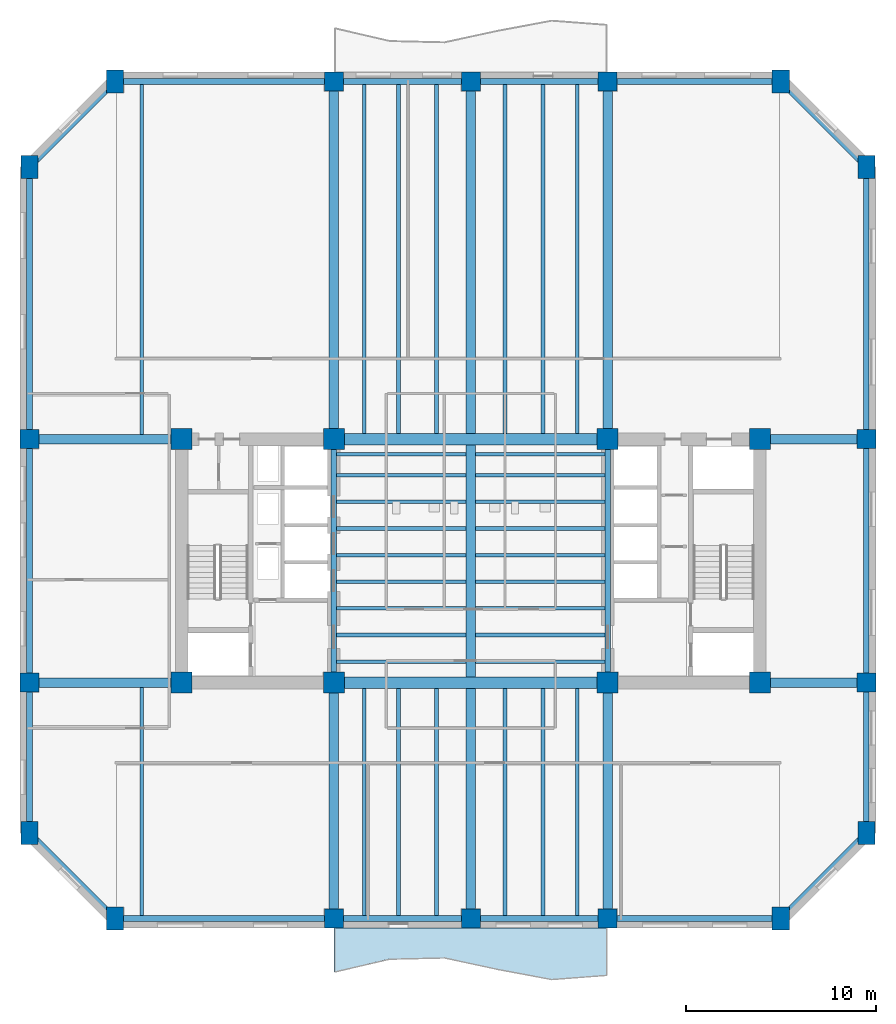
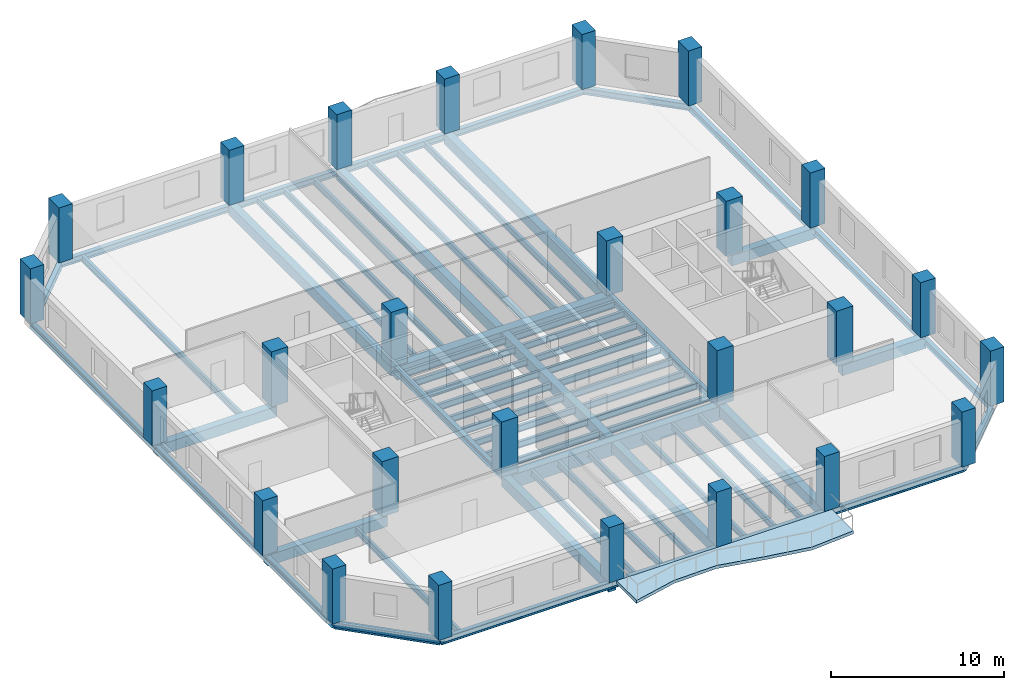
# One storey, part 1 of 10: 65 beams, 26 columns, 1 slab.
"""IFC4 building model written with IfcOpenShell, lengths in metres."""

from ifc_helpers import new_model, si_unit, direction, frame, origin, origin_2d, place, context, subcontext, project, spatial, polyline, rectangle, i_section, outline, extrude, material, layer, layer_set, material_profile, profile_set, type_object, element, save


model = new_model("IFC4")

# Units and contexts
model_context = context("Model", 3, precision=1e-05, world=origin(), true_north=direction((0.0, 1.0)))
body_context = subcontext(model_context, "Body", "Model", "MODEL_VIEW")
ifc_project = project(units=[si_unit("LENGTHUNIT", "METRE"), si_unit("AREAUNIT", "SQUARE_METRE"), si_unit("VOLUMEUNIT", "CUBIC_METRE"), si_unit("PLANEANGLEUNIT", "RADIAN"), si_unit("MASSUNIT", "GRAM", prefix="KILO")], contexts=[model_context])

# Site, building, storey
site_placement = place(None, origin())
site = spatial("IfcSite", under=ifc_project, at=site_placement, CompositionType="ELEMENT")
building_placement = place(site_placement, origin())
building = spatial("IfcBuilding", under=site, at=building_placement, Name="Kranthara Brick Stack", CompositionType="ELEMENT")
storey_placement = place(building_placement, frame((0.0, 0.0, 98.39990234375)))
storey = spatial("IfcBuildingStorey", under=building, at=storey_placement, Name="L24", CompositionType="ELEMENT", Elevation=98.39990234375)

# Columns
ifc_material_1 = material(Name="Concrete C70/85", Category="concrete")
ifc_material_profile_1 = material_profile(ifc_material_1, rectangle(XDim=0.89990234375, YDim=1.199951171875, at=origin_2d()), Name="RC 900x1200")
ifc_profile_set_1 = profile_set([ifc_material_profile_1], Name="Concrete C70/85")
column_type_1 = type_object("IfcColumnType", Name="COL-CHAM-900x1200", PredefinedType="COLUMN", material=ifc_profile_set_1)
for number, where, z_axis, x_axis, name in (
    (1, (9.300048828125, 8.39990234375, 0.0), (0.0, 0.0, 1.0), (1.0, 0.0, 0.0), "L24 Column 09"),
    (2, (9.300048828125, 52.39990234375, 0.0), (0.0, 0.0, 1.0), (1.0, 0.0, 0.0), "L24 Column 10"),
    (3, (44.300048828125, 8.39990234375, 0.0), (0.0, 0.0, 1.0), (1.0, 0.0, 0.0), "L24 Column 17"),
    (4, (44.300048828125, 52.39990234375, 0.0), (0.0, 0.0, 1.0), (1.0, 0.0, 0.0), "L24 Column 18"),
    (5, (4.800048828125, 12.89990234375, 0.0), (0.0, 0.0, 1.0), (1.0, 0.0, 0.0), "L24 Column 19"),
    (6, (48.800048828125, 12.89990234375, 0.0), (0.0, 0.0, 1.0), (1.0, 0.0, 0.0), "L24 Column 20"),
    (7, (4.800048828125, 47.89990234375, 0.0), (0.0, 0.0, 1.0), (1.0, 0.0, 0.0), "L24 Column 25"),
    (8, (48.800048828125, 47.89990234375, 0.0), (0.0, 0.0, 1.0), (1.0, 0.0, 0.0), "L24 Column 26"),
):
    element("IfcColumn", number, at=place(storey_placement, frame(where, z_axis=z_axis, x_axis=x_axis)), inside=storey, type_object=column_type_1, Name=name, PredefinedType="COLUMN", context=body_context, shape_type="SweptSolid", body=[
        extrude(rectangle(XDim=0.89990234375, YDim=1.199951171875, at=origin_2d()), origin(), (0.0, 0.0, 1.0), 3.900146484375),
    ])
ifc_material_2 = material(Name="Concrete C70/85", Category="concrete")
ifc_material_profile_2 = material_profile(ifc_material_2, rectangle(XDim=1.10009765625, YDim=1.10009765625, at=origin_2d()), Name="RC 1100x1100")
ifc_profile_set_2 = profile_set([ifc_material_profile_2], Name="Concrete C70/85")
column_type_2 = type_object("IfcColumnType", Name="COL-CORE-1100", PredefinedType="COLUMN", material=ifc_profile_set_2)
for number, where, z_axis, x_axis, name in (
    (9, (12.800048828125, 20.800048828125, 0.0), (0.0, 0.0, 1.0), (1.0, 0.0, 0.0), "L24 Column 01"),
    (10, (20.800048828125, 20.800048828125, 0.0), (0.0, 0.0, 1.0), (1.0, 0.0, 0.0), "L24 Column 02"),
    (11, (12.800048828125, 33.60009765625, 0.0), (0.0, 0.0, 1.0), (1.0, 0.0, 0.0), "L24 Column 03"),
    (12, (20.800048828125, 33.60009765625, 0.0), (0.0, 0.0, 1.0), (1.0, 0.0, 0.0), "L24 Column 04"),
    (13, (35.199951171875, 20.800048828125, 0.0), (0.0, 0.0, 1.0), (1.0, 0.0, 0.0), "L24 Column 05"),
    (14, (43.199951171875, 20.800048828125, 0.0), (0.0, 0.0, 1.0), (1.0, 0.0, 0.0), "L24 Column 06"),
    (15, (35.199951171875, 33.60009765625, 0.0), (0.0, 0.0, 1.0), (1.0, 0.0, 0.0), "L24 Column 07"),
    (16, (43.199951171875, 33.60009765625, 0.0), (0.0, 0.0, 1.0), (1.0, 0.0, 0.0), "L24 Column 08"),
):
    element("IfcColumn", number, at=place(storey_placement, frame(where, z_axis=z_axis, x_axis=x_axis)), inside=storey, type_object=column_type_2, Name=name, PredefinedType="COLUMN", context=body_context, shape_type="SweptSolid", body=[
        extrude(rectangle(XDim=1.10009765625, YDim=1.10009765625, at=origin_2d()), origin(), (0.0, 0.0, 1.0), 3.900146484375),
    ])
ifc_material_3 = material(Name="Concrete C60/75", Category="concrete")
ifc_material_profile_3 = material_profile(ifc_material_3, rectangle(XDim=1.0, YDim=1.0, at=origin_2d()), Name="RC 1000x1000")
ifc_profile_set_3 = profile_set([ifc_material_profile_3], Name="Concrete C60/75")
column_type_3 = type_object("IfcColumnType", Name="COL-PER-1000", PredefinedType="COLUMN", material=ifc_profile_set_3)
for number, where, z_axis, x_axis, name in (
    (17, (20.800048828125, 8.39990234375, 0.0), (0.0, 0.0, 1.0), (1.0, 0.0, 0.0), "L24 Column 11"),
    (18, (20.800048828125, 52.39990234375, 0.0), (0.0, 0.0, 1.0), (1.0, 0.0, 0.0), "L24 Column 12"),
    (19, (28.0, 8.39990234375, 0.0), (0.0, 0.0, 1.0), (1.0, 0.0, 0.0), "L24 Column 13"),
    (20, (28.0, 52.39990234375, 0.0), (0.0, 0.0, 1.0), (1.0, 0.0, 0.0), "L24 Column 14"),
    (21, (35.199951171875, 8.39990234375, 0.0), (0.0, 0.0, 1.0), (1.0, 0.0, 0.0), "L24 Column 15"),
    (22, (35.199951171875, 52.39990234375, 0.0), (0.0, 0.0, 1.0), (1.0, 0.0, 0.0), "L24 Column 16"),
    (23, (4.800048828125, 20.800048828125, 0.0), (0.0, 0.0, 1.0), (1.0, 0.0, 0.0), "L24 Column 21"),
    (24, (48.800048828125, 20.800048828125, 0.0), (0.0, 0.0, 1.0), (1.0, 0.0, 0.0), "L24 Column 22"),
    (25, (4.800048828125, 33.60009765625, 0.0), (0.0, 0.0, 1.0), (1.0, 0.0, 0.0), "L24 Column 23"),
    (26, (48.800048828125, 33.60009765625, 0.0), (0.0, 0.0, 1.0), (1.0, 0.0, 0.0), "L24 Column 24"),
):
    element("IfcColumn", number, at=place(storey_placement, frame(where, z_axis=z_axis, x_axis=x_axis)), inside=storey, type_object=column_type_3, Name=name, PredefinedType="COLUMN", context=body_context, shape_type="SweptSolid", body=[
        extrude(rectangle(XDim=1.0, YDim=1.0, at=origin_2d()), origin(), (0.0, 0.0, 1.0), 3.900146484375),
    ])

# Beams
ifc_material_4 = material(Name="Concrete C60/75", Category="concrete")
ifc_material_profile_4 = material_profile(ifc_material_4, rectangle(XDim=0.60009765625, YDim=0.949951171875, at=origin_2d()), Name="RC 600x950")
ifc_profile_set_4 = profile_set([ifc_material_profile_4], Name="Concrete C60/75")
beam_type_1 = type_object("IfcBeamType", Name="BM-CPL-RC950", PredefinedType="LINTEL", material=ifc_profile_set_4)
for number, where, z_axis, x_axis, name in (
    (27, (20.800048828125, 20.800048828125, -0.77490234375), (1.0, 0.0, 0.0), (0.0, 1.0, 0.0), "L24 Core Coupling Beam 001"),
    (28, (20.800048828125, 33.60009765625, -0.77490234375), (1.0, 0.0, 0.0), (0.0, 1.0, 0.0), "L24 Core Coupling Beam 002"),
):
    element("IfcBeam", number, at=place(storey_placement, frame(where, z_axis=z_axis, x_axis=x_axis)), inside=storey, type_object=beam_type_1, Name=name, PredefinedType="LINTEL", context=body_context, shape_type="SweptSolid", body=[
        extrude(rectangle(XDim=0.60009765625, YDim=0.949951171875, at=origin_2d()), origin(), (0.0, 0.0, 1.0), 14.39990234375),
    ])
ifc_material_5 = material(Name="Post-tensioned concrete C45/55", Category="concrete")
ifc_material_profile_5 = material_profile(ifc_material_5, rectangle(XDim=0.5, YDim=0.75, at=origin_2d()), Name="PT 500x750")
ifc_profile_set_5 = profile_set([ifc_material_profile_5], Name="Post-tensioned concrete C45/55")
beam_type_2 = type_object("IfcBeamType", Name="BM-FLR-PT750", PredefinedType="BEAM", material=ifc_profile_set_5)
beam_1_placement = place(storey_placement, frame((20.800048828125, 8.39990234375, -0.6748046875), z_axis=(0.0, 1.0, 0.0), x_axis=(-1.0, 0.0, 0.0)))
element("IfcBeam", 29, at=beam_1_placement, inside=storey, type_object=beam_type_2, Name="L24 Primary Grid Girder 023", PredefinedType="BEAM", context=body_context, shape_type="SweptSolid", body=[
    extrude(rectangle(XDim=0.5, YDim=0.75, at=origin_2d()), origin(), (0.0, 0.0, 1.0), 12.400146484375),
])
beam_2_placement = place(storey_placement, frame((20.800048828125, 33.60009765625, -0.6748046875), z_axis=(0.0, 1.0, 0.0), x_axis=(-1.0, 0.0, 0.0)))
element("IfcBeam", 30, at=beam_2_placement, inside=storey, type_object=beam_type_2, Name="L24 Primary Grid Girder 024", PredefinedType="BEAM", context=body_context, shape_type="SweptSolid", body=[
    extrude(rectangle(XDim=0.5, YDim=0.75, at=origin_2d()), origin(), (0.0, 0.0, 1.0), 18.7998046875),
])
beam_3_placement = place(storey_placement, frame((28.0, 8.39990234375, -0.6748046875), z_axis=(0.0, 1.0, 0.0), x_axis=(-1.0, 0.0, 0.0)))
element("IfcBeam", 31, at=beam_3_placement, inside=storey, type_object=beam_type_2, Name="L24 Primary Grid Girder 025", PredefinedType="BEAM", context=body_context, shape_type="SweptSolid", body=[
    extrude(rectangle(XDim=0.5, YDim=0.75, at=origin_2d()), origin(), (0.0, 0.0, 1.0), 12.10009765625),
])
beam_4_placement = place(storey_placement, frame((28.0, 21.10009765625, -0.6748046875), z_axis=(0.0, 1.0, 0.0), x_axis=(-1.0, 0.0, 0.0)))
element("IfcBeam", 32, at=beam_4_placement, inside=storey, type_object=beam_type_2, Name="L24 Central Spine Girder 026", PredefinedType="BEAM", context=body_context, shape_type="SweptSolid", body=[
    extrude(rectangle(XDim=0.5, YDim=0.75, at=origin_2d()), origin(), (0.0, 0.0, 1.0), 12.199951171875),
])
beam_5_placement = place(storey_placement, frame((28.0, 33.89990234375, -0.6748046875), z_axis=(0.0, 1.0, 0.0), x_axis=(-1.0, 0.0, 0.0)))
element("IfcBeam", 33, at=beam_5_placement, inside=storey, type_object=beam_type_2, Name="L24 Primary Grid Girder 027", PredefinedType="BEAM", context=body_context, shape_type="SweptSolid", body=[
    extrude(rectangle(XDim=0.5, YDim=0.75, at=origin_2d()), origin(), (0.0, 0.0, 1.0), 18.5),
])
beam_6_placement = place(storey_placement, frame((35.199951171875, 8.39990234375, -0.6748046875), z_axis=(0.0, 1.0, 0.0), x_axis=(-1.0, 0.0, 0.0)))
element("IfcBeam", 34, at=beam_6_placement, inside=storey, type_object=beam_type_2, Name="L24 Primary Grid Girder 028", PredefinedType="BEAM", context=body_context, shape_type="SweptSolid", body=[
    extrude(rectangle(XDim=0.5, YDim=0.75, at=origin_2d()), origin(), (0.0, 0.0, 1.0), 12.400146484375),
])
beam_7_placement = place(storey_placement, frame((35.199951171875, 33.60009765625, -0.6748046875), z_axis=(0.0, 1.0, 0.0), x_axis=(-1.0, 0.0, 0.0)))
element("IfcBeam", 35, at=beam_7_placement, inside=storey, type_object=beam_type_2, Name="L24 Primary Grid Girder 029", PredefinedType="BEAM", context=body_context, shape_type="SweptSolid", body=[
    extrude(rectangle(XDim=0.5, YDim=0.75, at=origin_2d()), origin(), (0.0, 0.0, 1.0), 18.7998046875),
])
beam_8_placement = place(storey_placement, frame((4.800048828125, 20.800048828125, -0.6748046875), z_axis=(1.0, 0.0, 0.0), x_axis=(0.0, 1.0, 0.0)))
element("IfcBeam", 36, at=beam_8_placement, inside=storey, type_object=beam_type_2, Name="L24 Primary Grid Girder 030", PredefinedType="BEAM", context=body_context, shape_type="SweptSolid", body=[
    extrude(rectangle(XDim=0.5, YDim=0.75, at=origin_2d()), origin(), (0.0, 0.0, 1.0), 8.0),
])
beam_9_placement = place(storey_placement, frame((43.199951171875, 20.800048828125, -0.6748046875), z_axis=(1.0, 0.0, 0.0), x_axis=(0.0, 1.0, 0.0)))
element("IfcBeam", 37, at=beam_9_placement, inside=storey, type_object=beam_type_2, Name="L24 Primary Grid Girder 031", PredefinedType="BEAM", context=body_context, shape_type="SweptSolid", body=[
    extrude(rectangle(XDim=0.5, YDim=0.75, at=origin_2d()), origin(), (0.0, 0.0, 1.0), 5.60009765625),
])
beam_10_placement = place(storey_placement, frame((4.800048828125, 33.60009765625, -0.6748046875), z_axis=(1.0, 0.0, 0.0), x_axis=(0.0, 1.0, 0.0)))
element("IfcBeam", 38, at=beam_10_placement, inside=storey, type_object=beam_type_2, Name="L24 Primary Grid Girder 032", PredefinedType="BEAM", context=body_context, shape_type="SweptSolid", body=[
    extrude(rectangle(XDim=0.5, YDim=0.75, at=origin_2d()), origin(), (0.0, 0.0, 1.0), 8.0),
])
beam_11_placement = place(storey_placement, frame((43.199951171875, 33.60009765625, -0.6748046875), z_axis=(1.0, 0.0, 0.0), x_axis=(0.0, 1.0, 0.0)))
element("IfcBeam", 39, at=beam_11_placement, inside=storey, type_object=beam_type_2, Name="L24 Primary Grid Girder 033", PredefinedType="BEAM", context=body_context, shape_type="SweptSolid", body=[
    extrude(rectangle(XDim=0.5, YDim=0.75, at=origin_2d()), origin(), (0.0, 0.0, 1.0), 5.60009765625),
])
ifc_material_6 = material(Name="Steel S355", Category="steel")
ifc_material_profile_6 = material_profile(ifc_material_6, i_section(OverallWidth=0.18994140625, OverallDepth=0.449951171875, WebThickness=0.009521484375, FlangeThickness=0.0146484375, at=origin_2d()), Name="IPE 450")
ifc_profile_set_6 = profile_set([ifc_material_profile_6], Name="Steel S355")
beam_type_3 = type_object("IfcBeamType", Name="BM-JST-IPE450", PredefinedType="JOIST", material=ifc_profile_set_6)
for number, where, z_axis, x_axis, name in (
    (40, (20.949951171875, 21.89990234375, -0.52490234375), (1.0, 0.0, 0.0), (0.0, 1.0, 0.0), "L24 Central Floor Joist 034"),
    (41, (28.25, 21.89990234375, -0.52490234375), (1.0, 0.0, 0.0), (0.0, 1.0, 0.0), "L24 Central Floor Joist 035"),
    (42, (20.949951171875, 23.300048828125, -0.52490234375), (1.0, 0.0, 0.0), (0.0, 1.0, 0.0), "L24 Central Floor Joist 036"),
    (43, (28.25, 23.300048828125, -0.52490234375), (1.0, 0.0, 0.0), (0.0, 1.0, 0.0), "L24 Central Floor Joist 037"),
    (44, (20.949951171875, 24.699951171875, -0.52490234375), (1.0, 0.0, 0.0), (0.0, 1.0, 0.0), "L24 Central Floor Joist 038"),
    (45, (28.25, 24.699951171875, -0.52490234375), (1.0, 0.0, 0.0), (0.0, 1.0, 0.0), "L24 Central Floor Joist 039"),
    (46, (20.949951171875, 26.10009765625, -0.52490234375), (1.0, 0.0, 0.0), (0.0, 1.0, 0.0), "L24 Central Floor Joist 040"),
    (47, (28.25, 26.10009765625, -0.52490234375), (1.0, 0.0, 0.0), (0.0, 1.0, 0.0), "L24 Central Floor Joist 041"),
    (48, (20.949951171875, 27.5, -0.52490234375), (1.0, 0.0, 0.0), (0.0, 1.0, 0.0), "L24 Central Floor Joist 042"),
    (49, (28.25, 27.5, -0.52490234375), (1.0, 0.0, 0.0), (0.0, 1.0, 0.0), "L24 Central Floor Joist 043"),
    (50, (20.949951171875, 28.89990234375, -0.52490234375), (1.0, 0.0, 0.0), (0.0, 1.0, 0.0), "L24 Central Floor Joist 044"),
    (51, (28.25, 28.89990234375, -0.52490234375), (1.0, 0.0, 0.0), (0.0, 1.0, 0.0), "L24 Central Floor Joist 045"),
    (52, (20.949951171875, 30.300048828125, -0.52490234375), (1.0, 0.0, 0.0), (0.0, 1.0, 0.0), "L24 Central Floor Joist 046"),
    (53, (28.25, 30.300048828125, -0.52490234375), (1.0, 0.0, 0.0), (0.0, 1.0, 0.0), "L24 Central Floor Joist 047"),
    (54, (20.949951171875, 31.699951171875, -0.52490234375), (1.0, 0.0, 0.0), (0.0, 1.0, 0.0), "L24 Central Floor Joist 048"),
    (55, (28.25, 31.699951171875, -0.52490234375), (1.0, 0.0, 0.0), (0.0, 1.0, 0.0), "L24 Central Floor Joist 049"),
    (56, (20.949951171875, 32.800048828125, -0.52490234375), (1.0, 0.0, 0.0), (0.0, 1.0, 0.0), "L24 Central Floor Joist 050"),
    (57, (28.25, 32.800048828125, -0.52490234375), (1.0, 0.0, 0.0), (0.0, 1.0, 0.0), "L24 Central Floor Joist 051"),
):
    element("IfcBeam", number, at=place(storey_placement, frame(where, z_axis=z_axis, x_axis=x_axis)), inside=storey, type_object=beam_type_3, Name=name, PredefinedType="JOIST", context=body_context, shape_type="SweptSolid", body=[
        extrude(i_section(OverallWidth=0.18994140625, OverallDepth=0.449951171875, WebThickness=0.009521484375, FlangeThickness=0.0146484375, at=origin_2d()), origin(), (0.0, 0.0, 1.0), 6.800048828125),
    ])
beam_12_placement = place(storey_placement, frame((10.699951171875, 8.550048828125, -0.52490234375), z_axis=(0.0, 1.0, 0.0), x_axis=(-1.0, 0.0, 0.0)))
element("IfcBeam", 58, at=beam_12_placement, inside=storey, type_object=beam_type_3, Name="L24 South Wing Floor Joist 052", PredefinedType="JOIST", context=body_context, shape_type="SweptSolid", body=[
    extrude(i_section(OverallWidth=0.18994140625, OverallDepth=0.449951171875, WebThickness=0.009521484375, FlangeThickness=0.0146484375, at=origin_2d()), origin(), (0.0, 0.0, 1.0), 12.0),
])
beam_13_placement = place(storey_placement, frame((10.699951171875, 33.85009765625, -0.52490234375), z_axis=(0.0, 1.0, 0.0), x_axis=(-1.0, 0.0, 0.0)))
element("IfcBeam", 59, at=beam_13_placement, inside=storey, type_object=beam_type_3, Name="L24 North Wing Floor Joist 053", PredefinedType="JOIST", context=body_context, shape_type="SweptSolid", body=[
    extrude(i_section(OverallWidth=0.18994140625, OverallDepth=0.449951171875, WebThickness=0.009521484375, FlangeThickness=0.0146484375, at=origin_2d()), origin(), (0.0, 0.0, 1.0), 18.39990234375),
])
beam_14_placement = place(storey_placement, frame((22.39990234375, 8.550048828125, -0.52490234375), z_axis=(0.0, 1.0, 0.0), x_axis=(-1.0, 0.0, 0.0)))
element("IfcBeam", 60, at=beam_14_placement, inside=storey, type_object=beam_type_3, Name="L24 South Wing Floor Joist 054", PredefinedType="JOIST", context=body_context, shape_type="SweptSolid", body=[
    extrude(i_section(OverallWidth=0.18994140625, OverallDepth=0.449951171875, WebThickness=0.009521484375, FlangeThickness=0.0146484375, at=origin_2d()), origin(), (0.0, 0.0, 1.0), 11.949951171875),
])
beam_15_placement = place(storey_placement, frame((22.39990234375, 33.89990234375, -0.52490234375), z_axis=(0.0, 1.0, 0.0), x_axis=(-1.0, 0.0, 0.0)))
element("IfcBeam", 61, at=beam_15_placement, inside=storey, type_object=beam_type_3, Name="L24 North Wing Floor Joist 055", PredefinedType="JOIST", context=body_context, shape_type="SweptSolid", body=[
    extrude(i_section(OverallWidth=0.18994140625, OverallDepth=0.449951171875, WebThickness=0.009521484375, FlangeThickness=0.0146484375, at=origin_2d()), origin(), (0.0, 0.0, 1.0), 18.35009765625),
])
beam_16_placement = place(storey_placement, frame((24.199951171875, 8.550048828125, -0.52490234375), z_axis=(0.0, 1.0, 0.0), x_axis=(-1.0, 0.0, 0.0)))
element("IfcBeam", 62, at=beam_16_placement, inside=storey, type_object=beam_type_3, Name="L24 South Wing Floor Joist 056", PredefinedType="JOIST", context=body_context, shape_type="SweptSolid", body=[
    extrude(i_section(OverallWidth=0.18994140625, OverallDepth=0.449951171875, WebThickness=0.009521484375, FlangeThickness=0.0146484375, at=origin_2d()), origin(), (0.0, 0.0, 1.0), 11.949951171875),
])
beam_17_placement = place(storey_placement, frame((24.199951171875, 33.89990234375, -0.52490234375), z_axis=(0.0, 1.0, 0.0), x_axis=(-1.0, 0.0, 0.0)))
element("IfcBeam", 63, at=beam_17_placement, inside=storey, type_object=beam_type_3, Name="L24 North Wing Floor Joist 057", PredefinedType="JOIST", context=body_context, shape_type="SweptSolid", body=[
    extrude(i_section(OverallWidth=0.18994140625, OverallDepth=0.449951171875, WebThickness=0.009521484375, FlangeThickness=0.0146484375, at=origin_2d()), origin(), (0.0, 0.0, 1.0), 18.35009765625),
])
beam_18_placement = place(storey_placement, frame((26.199951171875, 8.550048828125, -0.52490234375), z_axis=(0.0, 1.0, 0.0), x_axis=(-1.0, 0.0, 0.0)))
element("IfcBeam", 64, at=beam_18_placement, inside=storey, type_object=beam_type_3, Name="L24 South Wing Floor Joist 058", PredefinedType="JOIST", context=body_context, shape_type="SweptSolid", body=[
    extrude(i_section(OverallWidth=0.18994140625, OverallDepth=0.449951171875, WebThickness=0.009521484375, FlangeThickness=0.0146484375, at=origin_2d()), origin(), (0.0, 0.0, 1.0), 11.949951171875),
])
beam_19_placement = place(storey_placement, frame((26.199951171875, 33.89990234375, -0.52490234375), z_axis=(0.0, 1.0, 0.0), x_axis=(-1.0, 0.0, 0.0)))
element("IfcBeam", 65, at=beam_19_placement, inside=storey, type_object=beam_type_3, Name="L24 North Wing Floor Joist 059", PredefinedType="JOIST", context=body_context, shape_type="SweptSolid", body=[
    extrude(i_section(OverallWidth=0.18994140625, OverallDepth=0.449951171875, WebThickness=0.009521484375, FlangeThickness=0.0146484375, at=origin_2d()), origin(), (0.0, 0.0, 1.0), 18.35009765625),
])
beam_20_placement = place(storey_placement, frame((29.800048828125, 8.550048828125, -0.52490234375), z_axis=(0.0, 1.0, 0.0), x_axis=(-1.0, 0.0, 0.0)))
element("IfcBeam", 66, at=beam_20_placement, inside=storey, type_object=beam_type_3, Name="L24 South Wing Floor Joist 060", PredefinedType="JOIST", context=body_context, shape_type="SweptSolid", body=[
    extrude(i_section(OverallWidth=0.18994140625, OverallDepth=0.449951171875, WebThickness=0.009521484375, FlangeThickness=0.0146484375, at=origin_2d()), origin(), (0.0, 0.0, 1.0), 11.949951171875),
])
beam_21_placement = place(storey_placement, frame((29.800048828125, 33.89990234375, -0.52490234375), z_axis=(0.0, 1.0, 0.0), x_axis=(-1.0, 0.0, 0.0)))
element("IfcBeam", 67, at=beam_21_placement, inside=storey, type_object=beam_type_3, Name="L24 North Wing Floor Joist 061", PredefinedType="JOIST", context=body_context, shape_type="SweptSolid", body=[
    extrude(i_section(OverallWidth=0.18994140625, OverallDepth=0.449951171875, WebThickness=0.009521484375, FlangeThickness=0.0146484375, at=origin_2d()), origin(), (0.0, 0.0, 1.0), 18.35009765625),
])
beam_22_placement = place(storey_placement, frame((31.800048828125, 8.550048828125, -0.52490234375), z_axis=(0.0, 1.0, 0.0), x_axis=(-1.0, 0.0, 0.0)))
element("IfcBeam", 68, at=beam_22_placement, inside=storey, type_object=beam_type_3, Name="L24 South Wing Floor Joist 062", PredefinedType="JOIST", context=body_context, shape_type="SweptSolid", body=[
    extrude(i_section(OverallWidth=0.18994140625, OverallDepth=0.449951171875, WebThickness=0.009521484375, FlangeThickness=0.0146484375, at=origin_2d()), origin(), (0.0, 0.0, 1.0), 11.949951171875),
])
beam_23_placement = place(storey_placement, frame((31.800048828125, 33.89990234375, -0.52490234375), z_axis=(0.0, 1.0, 0.0), x_axis=(-1.0, 0.0, 0.0)))
element("IfcBeam", 69, at=beam_23_placement, inside=storey, type_object=beam_type_3, Name="L24 North Wing Floor Joist 063", PredefinedType="JOIST", context=body_context, shape_type="SweptSolid", body=[
    extrude(i_section(OverallWidth=0.18994140625, OverallDepth=0.449951171875, WebThickness=0.009521484375, FlangeThickness=0.0146484375, at=origin_2d()), origin(), (0.0, 0.0, 1.0), 18.35009765625),
])
beam_24_placement = place(storey_placement, frame((33.60009765625, 8.550048828125, -0.52490234375), z_axis=(0.0, 1.0, 0.0), x_axis=(-1.0, 0.0, 0.0)))
element("IfcBeam", 70, at=beam_24_placement, inside=storey, type_object=beam_type_3, Name="L24 South Wing Floor Joist 064", PredefinedType="JOIST", context=body_context, shape_type="SweptSolid", body=[
    extrude(i_section(OverallWidth=0.18994140625, OverallDepth=0.449951171875, WebThickness=0.009521484375, FlangeThickness=0.0146484375, at=origin_2d()), origin(), (0.0, 0.0, 1.0), 11.949951171875),
])
beam_25_placement = place(storey_placement, frame((33.60009765625, 33.89990234375, -0.52490234375), z_axis=(0.0, 1.0, 0.0), x_axis=(-1.0, 0.0, 0.0)))
element("IfcBeam", 71, at=beam_25_placement, inside=storey, type_object=beam_type_3, Name="L24 North Wing Floor Joist 065", PredefinedType="JOIST", context=body_context, shape_type="SweptSolid", body=[
    extrude(i_section(OverallWidth=0.18994140625, OverallDepth=0.449951171875, WebThickness=0.009521484375, FlangeThickness=0.0146484375, at=origin_2d()), origin(), (0.0, 0.0, 1.0), 18.35009765625),
])
ifc_material_7 = material(Name="Steel S355", Category="steel")
ifc_material_profile_7 = material_profile(ifc_material_7, i_section(OverallWidth=0.300048828125, OverallDepth=0.449951171875, WebThickness=0.013916015625, FlangeThickness=0.02587890625, at=origin_2d()), Name="HEB 450")
ifc_profile_set_7 = profile_set([ifc_material_profile_7], Name="Steel S355")
beam_type_4 = type_object("IfcBeamType", Name="BM-STL-HEB450", PredefinedType="SPANDREL", material=ifc_profile_set_7)
for number, where, z_axis, x_axis, name in (
    (72, (20.800048828125, 20.800048828125, -0.52490234375), (0.0, 1.0, 0.0), (-1.0, 0.0, 0.0), "L24 Core Edge Tie Beam 003"),
    (73, (35.199951171875, 20.800048828125, -0.52490234375), (0.0, 1.0, 0.0), (-1.0, 0.0, 0.0), "L24 Core Edge Tie Beam 004"),
):
    element("IfcBeam", number, at=place(storey_placement, frame(where, z_axis=z_axis, x_axis=x_axis)), inside=storey, type_object=beam_type_4, Name=name, PredefinedType="SPANDREL", context=body_context, shape_type="SweptSolid", body=[
        extrude(i_section(OverallWidth=0.300048828125, OverallDepth=0.449951171875, WebThickness=0.013916015625, FlangeThickness=0.02587890625, at=origin_2d()), origin(), (0.0, 0.0, 1.0), 12.800048828125),
    ])
beam_26_placement = place(storey_placement, frame((9.300048828125, 8.39990234375, -0.52490234375), z_axis=(1.0, 0.0, 0.0), x_axis=(0.0, 1.0, 0.0)))
element("IfcBeam", 74, at=beam_26_placement, inside=storey, type_object=beam_type_4, Name="L24 Perimeter Spandrel Beam 005", PredefinedType="SPANDREL", context=body_context, shape_type="SweptSolid", body=[
    extrude(i_section(OverallWidth=0.300048828125, OverallDepth=0.449951171875, WebThickness=0.013916015625, FlangeThickness=0.02587890625, at=origin_2d()), origin(), (0.0, 0.0, 1.0), 11.5),
])
for number, where, z_axis, x_axis, name in (
    (75, (20.800048828125, 8.39990234375, -0.52490234375), (1.0, 0.0, 0.0), (0.0, 1.0, 0.0), "L24 Perimeter Spandrel Beam 006"),
    (76, (28.0, 8.39990234375, -0.52490234375), (1.0, 0.0, 0.0), (0.0, 1.0, 0.0), "L24 Perimeter Spandrel Beam 007"),
):
    element("IfcBeam", number, at=place(storey_placement, frame(where, z_axis=z_axis, x_axis=x_axis)), inside=storey, type_object=beam_type_4, Name=name, PredefinedType="SPANDREL", context=body_context, shape_type="SweptSolid", body=[
        extrude(i_section(OverallWidth=0.300048828125, OverallDepth=0.449951171875, WebThickness=0.013916015625, FlangeThickness=0.02587890625, at=origin_2d()), origin(), (0.0, 0.0, 1.0), 7.199951171875),
    ])
beam_27_placement = place(storey_placement, frame((35.199951171875, 8.39990234375, -0.52490234375), z_axis=(1.0, 0.0, 0.0), x_axis=(0.0, 1.0, 0.0)))
element("IfcBeam", 77, at=beam_27_placement, inside=storey, type_object=beam_type_4, Name="L24 Perimeter Spandrel Beam 008", PredefinedType="SPANDREL", context=body_context, shape_type="SweptSolid", body=[
    extrude(i_section(OverallWidth=0.300048828125, OverallDepth=0.449951171875, WebThickness=0.013916015625, FlangeThickness=0.02587890625, at=origin_2d()), origin(), (0.0, 0.0, 1.0), 9.10009765625),
])
beam_28_placement = place(storey_placement, frame((9.300048828125, 52.39990234375, -0.52490234375), z_axis=(1.0, 0.0, 0.0), x_axis=(0.0, 1.0, 0.0)))
element("IfcBeam", 78, at=beam_28_placement, inside=storey, type_object=beam_type_4, Name="L24 Perimeter Spandrel Beam 009", PredefinedType="SPANDREL", context=body_context, shape_type="SweptSolid", body=[
    extrude(i_section(OverallWidth=0.300048828125, OverallDepth=0.449951171875, WebThickness=0.013916015625, FlangeThickness=0.02587890625, at=origin_2d()), origin(), (0.0, 0.0, 1.0), 11.5),
])
for number, where, z_axis, x_axis, name in (
    (79, (20.800048828125, 52.39990234375, -0.52490234375), (1.0, 0.0, 0.0), (0.0, 1.0, 0.0), "L24 Perimeter Spandrel Beam 010"),
    (80, (28.0, 52.39990234375, -0.52490234375), (1.0, 0.0, 0.0), (0.0, 1.0, 0.0), "L24 Perimeter Spandrel Beam 011"),
):
    element("IfcBeam", number, at=place(storey_placement, frame(where, z_axis=z_axis, x_axis=x_axis)), inside=storey, type_object=beam_type_4, Name=name, PredefinedType="SPANDREL", context=body_context, shape_type="SweptSolid", body=[
        extrude(i_section(OverallWidth=0.300048828125, OverallDepth=0.449951171875, WebThickness=0.013916015625, FlangeThickness=0.02587890625, at=origin_2d()), origin(), (0.0, 0.0, 1.0), 7.199951171875),
    ])
beam_29_placement = place(storey_placement, frame((35.199951171875, 52.39990234375, -0.52490234375), z_axis=(1.0, 0.0, 0.0), x_axis=(0.0, 1.0, 0.0)))
element("IfcBeam", 81, at=beam_29_placement, inside=storey, type_object=beam_type_4, Name="L24 Perimeter Spandrel Beam 012", PredefinedType="SPANDREL", context=body_context, shape_type="SweptSolid", body=[
    extrude(i_section(OverallWidth=0.300048828125, OverallDepth=0.449951171875, WebThickness=0.013916015625, FlangeThickness=0.02587890625, at=origin_2d()), origin(), (0.0, 0.0, 1.0), 9.10009765625),
])
beam_30_placement = place(storey_placement, frame((4.800048828125, 12.89990234375, -0.52490234375), z_axis=(0.0, 1.0, 0.0), x_axis=(-1.0, 0.0, 0.0)))
element("IfcBeam", 82, at=beam_30_placement, inside=storey, type_object=beam_type_4, Name="L24 Perimeter Spandrel Beam 013", PredefinedType="SPANDREL", context=body_context, shape_type="SweptSolid", body=[
    extrude(i_section(OverallWidth=0.300048828125, OverallDepth=0.449951171875, WebThickness=0.013916015625, FlangeThickness=0.02587890625, at=origin_2d()), origin(), (0.0, 0.0, 1.0), 7.900146484375),
])
beam_31_placement = place(storey_placement, frame((4.800048828125, 20.800048828125, -0.52490234375), z_axis=(0.0, 1.0, 0.0), x_axis=(-1.0, 0.0, 0.0)))
element("IfcBeam", 83, at=beam_31_placement, inside=storey, type_object=beam_type_4, Name="L24 Perimeter Spandrel Beam 014", PredefinedType="SPANDREL", context=body_context, shape_type="SweptSolid", body=[
    extrude(i_section(OverallWidth=0.300048828125, OverallDepth=0.449951171875, WebThickness=0.013916015625, FlangeThickness=0.02587890625, at=origin_2d()), origin(), (0.0, 0.0, 1.0), 12.800048828125),
])
beam_32_placement = place(storey_placement, frame((4.800048828125, 33.60009765625, -0.52490234375), z_axis=(0.0, 1.0, 0.0), x_axis=(-1.0, 0.0, 0.0)))
element("IfcBeam", 84, at=beam_32_placement, inside=storey, type_object=beam_type_4, Name="L24 Perimeter Spandrel Beam 015", PredefinedType="SPANDREL", context=body_context, shape_type="SweptSolid", body=[
    extrude(i_section(OverallWidth=0.300048828125, OverallDepth=0.449951171875, WebThickness=0.013916015625, FlangeThickness=0.02587890625, at=origin_2d()), origin(), (0.0, 0.0, 1.0), 14.2998046875),
])
beam_33_placement = place(storey_placement, frame((48.800048828125, 12.89990234375, -0.52490234375), z_axis=(0.0, 1.0, 0.0), x_axis=(-1.0, 0.0, 0.0)))
element("IfcBeam", 85, at=beam_33_placement, inside=storey, type_object=beam_type_4, Name="L24 Perimeter Spandrel Beam 016", PredefinedType="SPANDREL", context=body_context, shape_type="SweptSolid", body=[
    extrude(i_section(OverallWidth=0.300048828125, OverallDepth=0.449951171875, WebThickness=0.013916015625, FlangeThickness=0.02587890625, at=origin_2d()), origin(), (0.0, 0.0, 1.0), 7.900146484375),
])
beam_34_placement = place(storey_placement, frame((48.800048828125, 20.800048828125, -0.52490234375), z_axis=(0.0, 1.0, 0.0), x_axis=(-1.0, 0.0, 0.0)))
element("IfcBeam", 86, at=beam_34_placement, inside=storey, type_object=beam_type_4, Name="L24 Perimeter Spandrel Beam 017", PredefinedType="SPANDREL", context=body_context, shape_type="SweptSolid", body=[
    extrude(i_section(OverallWidth=0.300048828125, OverallDepth=0.449951171875, WebThickness=0.013916015625, FlangeThickness=0.02587890625, at=origin_2d()), origin(), (0.0, 0.0, 1.0), 12.800048828125),
])
beam_35_placement = place(storey_placement, frame((48.800048828125, 33.60009765625, -0.52490234375), z_axis=(0.0, 1.0, 0.0), x_axis=(-1.0, 0.0, 0.0)))
element("IfcBeam", 87, at=beam_35_placement, inside=storey, type_object=beam_type_4, Name="L24 Perimeter Spandrel Beam 018", PredefinedType="SPANDREL", context=body_context, shape_type="SweptSolid", body=[
    extrude(i_section(OverallWidth=0.300048828125, OverallDepth=0.449951171875, WebThickness=0.013916015625, FlangeThickness=0.02587890625, at=origin_2d()), origin(), (0.0, 0.0, 1.0), 14.2998046875),
])
for number, where, z_axis, x_axis, name in (
    (88, (9.300048828125, 8.39990234375, -0.52490234375), (-0.707106781187, 0.707106781187, 0.0), (-0.707106781187, -0.707106781187, 0.0), "L24 Chamfer Corner Spandrel 019"),
    (89, (44.300048828125, 8.39990234375, -0.52490234375), (0.707106781187, 0.707106781187, 0.0), (-0.707106781187, 0.707106781187, 0.0), "L24 Chamfer Corner Spandrel 020"),
    (90, (9.300048828125, 52.39990234375, -0.52490234375), (-0.707106781187, -0.707106781187, 0.0), (0.707106781187, -0.707106781187, 0.0), "L24 Chamfer Corner Spandrel 021"),
    (91, (44.300048828125, 52.39990234375, -0.52490234375), (0.707106781187, -0.707106781187, 0.0), (0.707106781187, 0.707106781187, 0.0), "L24 Chamfer Corner Spandrel 022"),
):
    element("IfcBeam", number, at=place(storey_placement, frame(where, z_axis=z_axis, x_axis=x_axis)), inside=storey, type_object=beam_type_4, Name=name, PredefinedType="SPANDREL", context=body_context, shape_type="SweptSolid", body=[
        extrude(i_section(OverallWidth=0.300048828125, OverallDepth=0.449951171875, WebThickness=0.013916015625, FlangeThickness=0.02587890625, at=origin_2d()), origin(), (0.0, 0.0, 1.0), 6.364013671875),
    ])

# Slab
ifc_material_8 = material(Name="Concrete C45/55", Category="concrete")
ifc_layer = layer(ifc_material_8, 0.219970703125)
ifc_layer_set = layer_set([ifc_layer], Name="Concrete C45/55")
slab_type = type_object("IfcSlabType", Name="SLB-BALC-220", PredefinedType="FLOOR", material=ifc_layer_set)
slab_placement = place(storey_placement, frame((0.0, 0.0, -0.219970703125)))
element("IfcSlab", 92, at=slab_placement, inside=storey, type_object=slab_type, Name="L24 South Rippling Balcony Slab", PredefinedType="FLOOR", context=body_context, shape_type="SweptSolid", body=[
    extrude(outline(polyline([(20.800048828125, 7.89990234375), (35.199951171875, 7.89990234375), (35.199951171875, 5.3994140625), (32.320068359375, 5.171630859375), (29.43994140625, 5.702880859375), (26.56005859375, 6.32470703125), (23.679931640625, 6.25537109375), (20.800048828125, 5.581787109375), (20.800048828125, 7.89990234375)])), origin(), (0.0, 0.0, 1.0), 0.219970703125),
])

save(model, "model.ifc")
